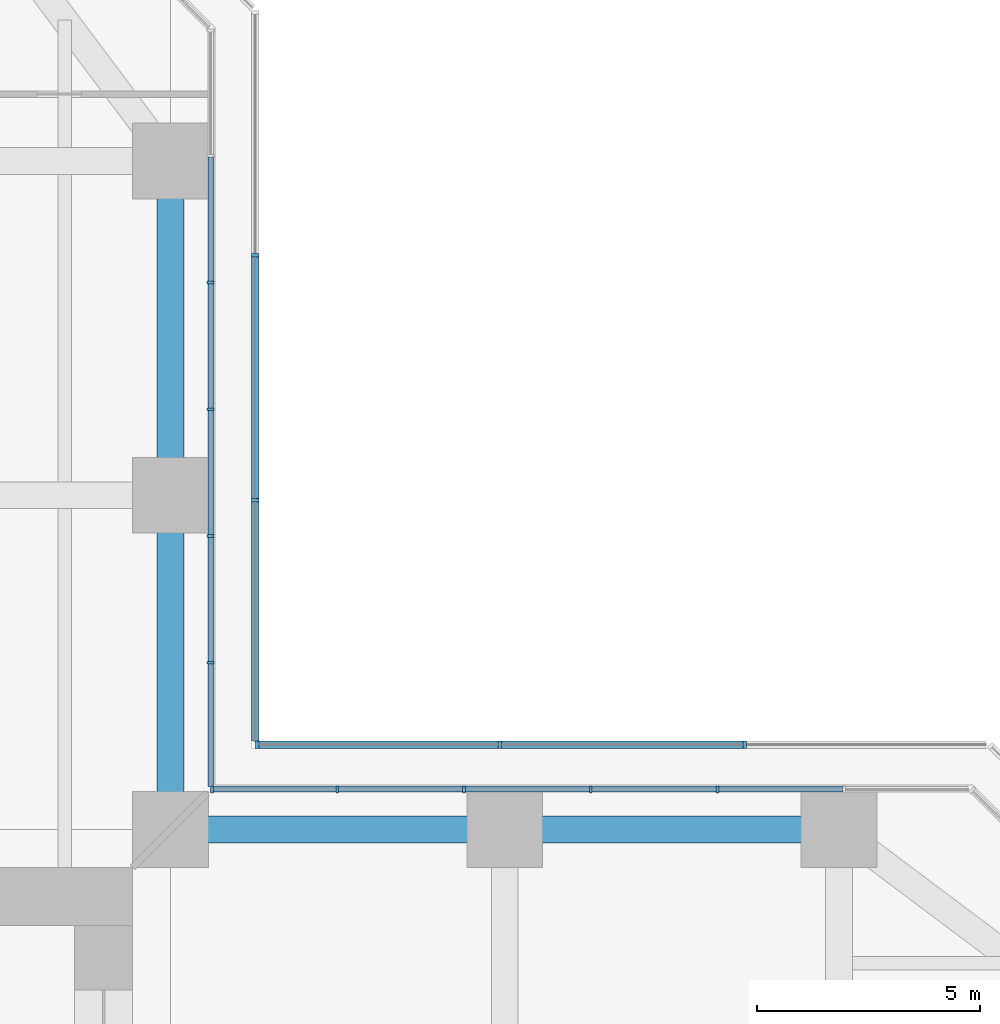
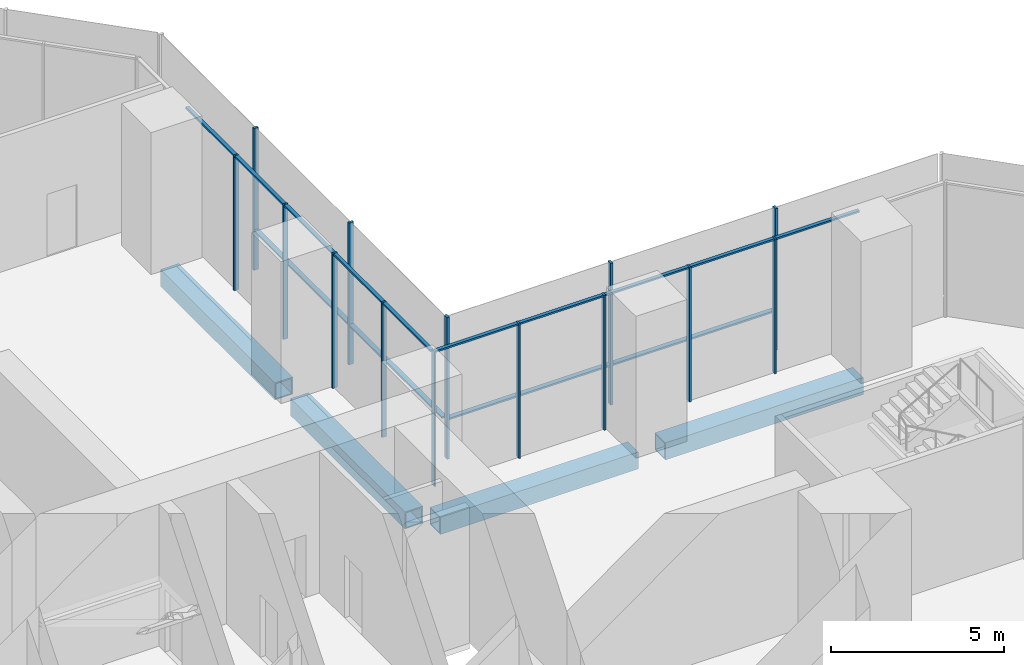
# One storey, part 10 of 23: 28 members, 4 beams, 4 elements without a shape of their own.
"""IFC4 building model written with IfcOpenShell, lengths in metres."""

from ifc_helpers import new_model, si_unit, direction, frame, origin, origin_2d, place, context, subcontext, project, spatial, rectangle, hollow_rectangle, extrude, material, material_profile, profile_set, type_object, element, aggregate, save


model = new_model("IFC4")

# Units and contexts
model_context = context("Model", 3, precision=1e-05, world=origin(), true_north=direction((0.0, 1.0)))
body_context = subcontext(model_context, "Body", "Model", "MODEL_VIEW")
ifc_project = project(units=[si_unit("LENGTHUNIT", "METRE"), si_unit("AREAUNIT", "SQUARE_METRE"), si_unit("VOLUMEUNIT", "CUBIC_METRE"), si_unit("PLANEANGLEUNIT", "RADIAN"), si_unit("MASSUNIT", "GRAM", prefix="KILO")], contexts=[model_context])

# Site, building, storey
site_placement = place(None, origin())
site = spatial("IfcSite", under=ifc_project, at=site_placement, CompositionType="ELEMENT")
building_placement = place(site_placement, origin())
building = spatial("IfcBuilding", under=site, at=building_placement, Name="Mizan Broadcast Tower", CompositionType="ELEMENT")
storey_placement = place(building_placement, frame((0.0, 0.0, 28.0)))
storey = spatial("IfcBuildingStorey", under=building, at=storey_placement, Name="L04", CompositionType="ELEMENT", Elevation=28.0)

# Beams
ifc_material_1 = material(Name="Steel S355", Category="steel")
ifc_material_profile_1 = material_profile(ifc_material_1, hollow_rectangle(XDim=0.60009765625, YDim=0.60009765625, WallThickness=0.0400390625, at=origin_2d()), Name="BOX 600x600x40")
ifc_profile_set_1 = profile_set([ifc_material_profile_1], Name="Steel S355")
beam_type = type_object("IfcBeamType", Name="EDGE BEAM BOX 600x600x40", PredefinedType="SPANDREL", material=ifc_profile_set_1)
for number, where, z_axis, x_axis, name in (
    (1, (12.449951171875, 12.0, -0.550048828125), (1.0, 0.0, 0.0), (0.0, 1.0, 0.0), "Edge beam BOX 600x600x40 L04 east arm"),
    (2, (19.949951171875, 12.0, -0.550048828125), (1.0, 0.0, 0.0), (0.0, 1.0, 0.0), "Edge beam BOX 600x600x40 L04 east arm"),
    (3, (12.0, 12.449951171875, -0.550048828125), (0.0, 1.0, 0.0), (-1.0, 0.0, 0.0), "Edge beam BOX 600x600x40 L04 north arm"),
    (4, (12.0, 19.949951171875, -0.550048828125), (0.0, 1.0, 0.0), (-1.0, 0.0, 0.0), "Edge beam BOX 600x600x40 L04 north arm"),
):
    element("IfcBeam", number, at=place(storey_placement, frame(where, z_axis=z_axis, x_axis=x_axis)), inside=storey, type_object=beam_type, Name=name, PredefinedType="SPANDREL", context=body_context, shape_type="SweptSolid", body=[
        extrude(hollow_rectangle(XDim=0.60009765625, YDim=0.60009765625, WallThickness=0.0400390625, at=origin_2d()), origin(), (0.0, 0.0, 1.0), 6.60009765625),
    ])

# Curtain wall, members
ifc_material_2 = material(Name="Aluminium framed glazing", Category="aluminium")
curtain_wall_type_1 = type_object("IfcCurtainWallType", Name="PODIUM CURTAIN WALL", PredefinedType="USERDEFINED", material=ifc_material_2)
curtain_wall_1_placement = place(storey_placement, origin())
curtain_wall_1 = element("IfcCurtainWall", 5, at=curtain_wall_1_placement, inside=storey, type_object=curtain_wall_type_1, Name="Podium curtain wall L04 E side", ObjectType="PODIUM CURTAIN WALL", PredefinedType="USERDEFINED")
ifc_material_3 = material(Name="Aluminium, pale anodised", Category="aluminium")
ifc_material_profile_2 = material_profile(ifc_material_3, rectangle(XDim=0.159912109375, YDim=0.06005859375, at=origin_2d()), Name="MULLION 160x60")
ifc_profile_set_2 = profile_set([ifc_material_profile_2], Name="Aluminium, pale anodised")
member_type_1 = type_object("IfcMemberType", Name="INNER SKIN MULLION 60x160", PredefinedType="MULLION", material=ifc_profile_set_2)
member_1_placement = place(storey_placement, frame((24.2724609375, 12.89990234375, 0.0), z_axis=(0.0, 0.0, 1.0), x_axis=(0.0, -1.0, 0.0)))
member_1 = element("IfcMember", 6, at=member_1_placement, type_object=member_type_1, Name="Podium curtain wall L04 E side mullion 3", PredefinedType="MULLION", context=body_context, shape_type="SweptSolid", body=[
    extrude(rectangle(XDim=0.159912109375, YDim=0.06005859375, at=origin_2d()), origin(), (0.0, 0.0, 1.0), 4.75),
])
member_2_placement = place(storey_placement, frame((21.42919921875, 12.89990234375, 0.0), z_axis=(0.0, 0.0, 1.0), x_axis=(0.0, -1.0, 0.0)))
member_2 = element("IfcMember", 7, at=member_2_placement, type_object=member_type_1, Name="Podium curtain wall L04 E side mullion 4", PredefinedType="MULLION", context=body_context, shape_type="SweptSolid", body=[
    extrude(rectangle(XDim=0.159912109375, YDim=0.06005859375, at=origin_2d()), origin(), (0.0, 0.0, 1.0), 4.75),
])
member_3_placement = place(storey_placement, frame((18.586181640625, 12.89990234375, 0.0), z_axis=(0.0, 0.0, 1.0), x_axis=(0.0, -1.0, 0.0)))
member_3 = element("IfcMember", 8, at=member_3_placement, type_object=member_type_1, Name="Podium curtain wall L04 E side mullion 5", PredefinedType="MULLION", context=body_context, shape_type="SweptSolid", body=[
    extrude(rectangle(XDim=0.159912109375, YDim=0.06005859375, at=origin_2d()), origin(), (0.0, 0.0, 1.0), 4.75),
])
member_4_placement = place(storey_placement, frame((15.7431640625, 12.89990234375, 0.0), z_axis=(0.0, 0.0, 1.0), x_axis=(0.0, -1.0, 0.0)))
member_4 = element("IfcMember", 9, at=member_4_placement, type_object=member_type_1, Name="Podium curtain wall L04 E side mullion 6", PredefinedType="MULLION", context=body_context, shape_type="SweptSolid", body=[
    extrude(rectangle(XDim=0.159912109375, YDim=0.06005859375, at=origin_2d()), origin(), (0.0, 0.0, 1.0), 4.75),
])
member_5_placement = place(storey_placement, frame((12.929931640625, 12.89990234375, 0.0), z_axis=(0.0, 0.0, 1.0), x_axis=(0.0, -1.0, 0.0)))
member_5 = element("IfcMember", 10, at=member_5_placement, type_object=member_type_1, Name="Podium curtain wall L04 E side mullion 7", PredefinedType="MULLION", context=body_context, shape_type="SweptSolid", body=[
    extrude(rectangle(XDim=0.159912109375, YDim=0.06005859375, at=origin_2d()), origin(), (0.0, 0.0, 1.0), 4.75),
])

curtain_wall_2_placement = place(storey_placement, origin())
curtain_wall_2 = element("IfcCurtainWall", 11, at=curtain_wall_2_placement, inside=storey, type_object=curtain_wall_type_1, Name="Podium curtain wall L04 N side", ObjectType="PODIUM CURTAIN WALL", PredefinedType="USERDEFINED")
member_6_placement = place(storey_placement, frame((12.89990234375, 15.7431640625, 0.0), z_axis=(0.0, 0.0, 1.0), x_axis=(-1.0, 0.0, 0.0)))
member_6 = element("IfcMember", 12, at=member_6_placement, type_object=member_type_1, Name="Podium curtain wall L04 N side mullion 2", PredefinedType="MULLION", context=body_context, shape_type="SweptSolid", body=[
    extrude(rectangle(XDim=0.159912109375, YDim=0.06005859375, at=origin_2d()), origin(), (0.0, 0.0, 1.0), 4.75),
])
member_7_placement = place(storey_placement, frame((12.89990234375, 18.586181640625, 0.0), z_axis=(0.0, 0.0, 1.0), x_axis=(-1.0, 0.0, 0.0)))
member_7 = element("IfcMember", 13, at=member_7_placement, type_object=member_type_1, Name="Podium curtain wall L04 N side mullion 3", PredefinedType="MULLION", context=body_context, shape_type="SweptSolid", body=[
    extrude(rectangle(XDim=0.159912109375, YDim=0.06005859375, at=origin_2d()), origin(), (0.0, 0.0, 1.0), 4.75),
])
member_8_placement = place(storey_placement, frame((12.89990234375, 21.42919921875, 0.0), z_axis=(0.0, 0.0, 1.0), x_axis=(-1.0, 0.0, 0.0)))
member_8 = element("IfcMember", 14, at=member_8_placement, type_object=member_type_1, Name="Podium curtain wall L04 N side mullion 4", PredefinedType="MULLION", context=body_context, shape_type="SweptSolid", body=[
    extrude(rectangle(XDim=0.159912109375, YDim=0.06005859375, at=origin_2d()), origin(), (0.0, 0.0, 1.0), 4.75),
])
member_9_placement = place(storey_placement, frame((12.89990234375, 24.2724609375, 0.0), z_axis=(0.0, 0.0, 1.0), x_axis=(-1.0, 0.0, 0.0)))
member_9 = element("IfcMember", 15, at=member_9_placement, type_object=member_type_1, Name="Podium curtain wall L04 N side mullion 5", PredefinedType="MULLION", context=body_context, shape_type="SweptSolid", body=[
    extrude(rectangle(XDim=0.159912109375, YDim=0.06005859375, at=origin_2d()), origin(), (0.0, 0.0, 1.0), 4.75),
])

# Member
ifc_material_4 = material(Name="Aluminium, pale anodised", Category="aluminium")
ifc_material_profile_3 = material_profile(ifc_material_4, rectangle(XDim=0.1201171875, YDim=0.06005859375, at=origin_2d()), Name="TRANSOM 120x60")
ifc_profile_set_3 = profile_set([ifc_material_profile_3], Name="Aluminium, pale anodised")
member_type_2 = type_object("IfcMemberType", Name="INNER SKIN TRANSOM 60x120", PredefinedType="USERDEFINED", material=ifc_profile_set_3)
member_10_placement = place(storey_placement, frame((27.08544921875, 12.89990234375, 4.719970703125), z_axis=(-1.0, 0.0, 0.0), x_axis=(0.0, -1.0, 0.0)))
member_10 = element("IfcMember", 16, at=member_10_placement, type_object=member_type_2, Name="Podium curtain wall L04 E side transom 2.1", ObjectType="TRANSOM", PredefinedType="USERDEFINED", context=body_context, shape_type="SweptSolid", body=[
    extrude(rectangle(XDim=0.1201171875, YDim=0.06005859375, at=origin_2d()), origin(), (0.0, 0.0, 1.0), 2.782958984375),
])

member_11_placement = place(storey_placement, frame((24.242431640625, 12.89990234375, 4.719970703125), z_axis=(-1.0, 0.0, 0.0), x_axis=(0.0, -1.0, 0.0)))
member_11 = element("IfcMember", 17, at=member_11_placement, type_object=member_type_2, Name="Podium curtain wall L04 E side transom 3.1", ObjectType="TRANSOM", PredefinedType="USERDEFINED", context=body_context, shape_type="SweptSolid", body=[
    extrude(rectangle(XDim=0.1201171875, YDim=0.06005859375, at=origin_2d()), origin(), (0.0, 0.0, 1.0), 2.783203125),
])

member_12_placement = place(storey_placement, frame((21.399169921875, 12.89990234375, 4.719970703125), z_axis=(-1.0, 0.0, 0.0), x_axis=(0.0, -1.0, 0.0)))
member_12 = element("IfcMember", 18, at=member_12_placement, type_object=member_type_2, Name="Podium curtain wall L04 E side transom 4.1", ObjectType="TRANSOM", PredefinedType="USERDEFINED", context=body_context, shape_type="SweptSolid", body=[
    extrude(rectangle(XDim=0.1201171875, YDim=0.06005859375, at=origin_2d()), origin(), (0.0, 0.0, 1.0), 2.782958984375),
])

member_13_placement = place(storey_placement, frame((18.55615234375, 12.89990234375, 4.719970703125), z_axis=(-1.0, 0.0, 0.0), x_axis=(0.0, -1.0, 0.0)))
member_13 = element("IfcMember", 19, at=member_13_placement, type_object=member_type_2, Name="Podium curtain wall L04 E side transom 5.1", ObjectType="TRANSOM", PredefinedType="USERDEFINED", context=body_context, shape_type="SweptSolid", body=[
    extrude(rectangle(XDim=0.1201171875, YDim=0.06005859375, at=origin_2d()), origin(), (0.0, 0.0, 1.0), 2.782958984375),
])

member_14_placement = place(storey_placement, frame((15.713134765625, 12.89990234375, 4.719970703125), z_axis=(-1.0, 0.0, 0.0), x_axis=(0.0, -1.0, 0.0)))
member_14 = element("IfcMember", 20, at=member_14_placement, type_object=member_type_2, Name="Podium curtain wall L04 E side transom 6.1", ObjectType="TRANSOM", PredefinedType="USERDEFINED", context=body_context, shape_type="SweptSolid", body=[
    extrude(rectangle(XDim=0.1201171875, YDim=0.06005859375, at=origin_2d()), origin(), (0.0, 0.0, 1.0), 2.753173828125),
])

aggregate(curtain_wall_1, [member_1, member_2, member_3, member_4, member_5, member_10, member_11, member_12, member_13, member_14])

member_15_placement = place(storey_placement, frame((12.89990234375, 12.9599609375, 4.719970703125), z_axis=(0.0, 1.0, 0.0), x_axis=(-1.0, 0.0, 0.0)))
member_15 = element("IfcMember", 21, at=member_15_placement, type_object=member_type_2, Name="Podium curtain wall L04 N side transom 1.1", ObjectType="TRANSOM", PredefinedType="USERDEFINED", context=body_context, shape_type="SweptSolid", body=[
    extrude(rectangle(XDim=0.1201171875, YDim=0.06005859375, at=origin_2d()), origin(), (0.0, 0.0, 1.0), 2.753173828125),
])

member_16_placement = place(storey_placement, frame((12.89990234375, 15.773193359375, 4.719970703125), z_axis=(0.0, 1.0, 0.0), x_axis=(-1.0, 0.0, 0.0)))
member_16 = element("IfcMember", 22, at=member_16_placement, type_object=member_type_2, Name="Podium curtain wall L04 N side transom 2.1", ObjectType="TRANSOM", PredefinedType="USERDEFINED", context=body_context, shape_type="SweptSolid", body=[
    extrude(rectangle(XDim=0.1201171875, YDim=0.06005859375, at=origin_2d()), origin(), (0.0, 0.0, 1.0), 2.782958984375),
])

member_17_placement = place(storey_placement, frame((12.89990234375, 18.6162109375, 4.719970703125), z_axis=(0.0, 1.0, 0.0), x_axis=(-1.0, 0.0, 0.0)))
member_17 = element("IfcMember", 23, at=member_17_placement, type_object=member_type_2, Name="Podium curtain wall L04 N side transom 3.1", ObjectType="TRANSOM", PredefinedType="USERDEFINED", context=body_context, shape_type="SweptSolid", body=[
    extrude(rectangle(XDim=0.1201171875, YDim=0.06005859375, at=origin_2d()), origin(), (0.0, 0.0, 1.0), 2.782958984375),
])

member_18_placement = place(storey_placement, frame((12.89990234375, 21.459228515625, 4.719970703125), z_axis=(0.0, 1.0, 0.0), x_axis=(-1.0, 0.0, 0.0)))
member_18 = element("IfcMember", 24, at=member_18_placement, type_object=member_type_2, Name="Podium curtain wall L04 N side transom 4.1", ObjectType="TRANSOM", PredefinedType="USERDEFINED", context=body_context, shape_type="SweptSolid", body=[
    extrude(rectangle(XDim=0.1201171875, YDim=0.06005859375, at=origin_2d()), origin(), (0.0, 0.0, 1.0), 2.783203125),
])

member_19_placement = place(storey_placement, frame((12.89990234375, 24.302490234375, 4.719970703125), z_axis=(0.0, 1.0, 0.0), x_axis=(-1.0, 0.0, 0.0)))
member_19 = element("IfcMember", 25, at=member_19_placement, type_object=member_type_2, Name="Podium curtain wall L04 N side transom 5.1", ObjectType="TRANSOM", PredefinedType="USERDEFINED", context=body_context, shape_type="SweptSolid", body=[
    extrude(rectangle(XDim=0.1201171875, YDim=0.06005859375, at=origin_2d()), origin(), (0.0, 0.0, 1.0), 2.782958984375),
])

aggregate(curtain_wall_2, [member_6, member_7, member_8, member_9, member_15, member_16, member_17, member_18, member_19])

# Curtain wall, members
ifc_material_5 = material(Name="Aluminium framed glazing", Category="aluminium")
curtain_wall_type_2 = type_object("IfcCurtainWallType", Name="OUTER SKIN", PredefinedType="USERDEFINED", material=ifc_material_5)
curtain_wall_3_placement = place(storey_placement, origin())
curtain_wall_3 = element("IfcCurtainWall", 26, at=curtain_wall_3_placement, inside=storey, type_object=curtain_wall_type_2, Name="Outer skin L04 E side", ObjectType="OUTER SKIN", PredefinedType="USERDEFINED")
ifc_material_6 = material(Name="Aluminium, pale anodised", Category="aluminium")
ifc_material_profile_4 = material_profile(ifc_material_6, rectangle(XDim=0.159912109375, YDim=0.080078125, at=origin_2d()), Name="MULLION 160x80")
ifc_profile_set_4 = profile_set([ifc_material_profile_4], Name="Aluminium, pale anodised")
member_type_3 = type_object("IfcMemberType", Name="OUTER SKIN MULLION 80x160", PredefinedType="MULLION", material=ifc_profile_set_4)
member_20_placement = place(storey_placement, frame((24.8818359375, 13.89990234375, 0.0), z_axis=(0.0, 0.0, 1.0), x_axis=(0.0, -1.0, 0.0)))
member_20 = element("IfcMember", 27, at=member_20_placement, type_object=member_type_3, Name="Outer skin L04 E side mullion 2", PredefinedType="MULLION", context=body_context, shape_type="SweptSolid", body=[
    extrude(rectangle(XDim=0.159912109375, YDim=0.080078125, at=origin_2d()), origin(), (0.0, 0.0, 1.0), 5.0),
])
member_21_placement = place(storey_placement, frame((19.390869140625, 13.89990234375, 0.0), z_axis=(0.0, 0.0, 1.0), x_axis=(0.0, -1.0, 0.0)))
member_21 = element("IfcMember", 28, at=member_21_placement, type_object=member_type_3, Name="Outer skin L04 E side mullion 3", PredefinedType="MULLION", context=body_context, shape_type="SweptSolid", body=[
    extrude(rectangle(XDim=0.159912109375, YDim=0.080078125, at=origin_2d()), origin(), (0.0, 0.0, 1.0), 5.0),
])
member_22_placement = place(storey_placement, frame((13.93994140625, 13.89990234375, 0.0), z_axis=(0.0, 0.0, 1.0), x_axis=(0.0, -1.0, 0.0)))
member_22 = element("IfcMember", 29, at=member_22_placement, type_object=member_type_3, Name="Outer skin L04 E side mullion 4", PredefinedType="MULLION", context=body_context, shape_type="SweptSolid", body=[
    extrude(rectangle(XDim=0.159912109375, YDim=0.080078125, at=origin_2d()), origin(), (0.0, 0.0, 1.0), 5.0),
])

curtain_wall_4_placement = place(storey_placement, origin())
curtain_wall_4 = element("IfcCurtainWall", 30, at=curtain_wall_4_placement, inside=storey, type_object=curtain_wall_type_2, Name="Outer skin L04 N side", ObjectType="OUTER SKIN", PredefinedType="USERDEFINED")
member_23_placement = place(storey_placement, frame((13.89990234375, 19.390869140625, 0.0), z_axis=(0.0, 0.0, 1.0), x_axis=(-1.0, 0.0, 0.0)))
member_23 = element("IfcMember", 31, at=member_23_placement, type_object=member_type_3, Name="Outer skin L04 N side mullion 2", PredefinedType="MULLION", context=body_context, shape_type="SweptSolid", body=[
    extrude(rectangle(XDim=0.159912109375, YDim=0.080078125, at=origin_2d()), origin(), (0.0, 0.0, 1.0), 5.0),
])
member_24_placement = place(storey_placement, frame((13.89990234375, 24.8818359375, 0.0), z_axis=(0.0, 0.0, 1.0), x_axis=(-1.0, 0.0, 0.0)))
member_24 = element("IfcMember", 32, at=member_24_placement, type_object=member_type_3, Name="Outer skin L04 N side mullion 3", PredefinedType="MULLION", context=body_context, shape_type="SweptSolid", body=[
    extrude(rectangle(XDim=0.159912109375, YDim=0.080078125, at=origin_2d()), origin(), (0.0, 0.0, 1.0), 5.0),
])

# Member
ifc_material_7 = material(Name="Aluminium, pale anodised", Category="aluminium")
ifc_material_profile_5 = material_profile(ifc_material_7, rectangle(XDim=0.159912109375, YDim=0.06005859375, at=origin_2d()), Name="TRANSOM 160x60")
ifc_profile_set_5 = profile_set([ifc_material_profile_5], Name="Aluminium, pale anodised")
member_type_4 = type_object("IfcMemberType", Name="OUTER SKIN TRANSOM 60x160", PredefinedType="USERDEFINED", material=ifc_profile_set_5)
member_25_placement = place(storey_placement, frame((24.841796875, 13.89990234375, 1.39990234375), z_axis=(-1.0, 0.0, 0.0), x_axis=(0.0, -1.0, 0.0)))
member_25 = element("IfcMember", 33, at=member_25_placement, type_object=member_type_4, Name="Outer skin L04 E side transom 2.1", ObjectType="TRANSOM", PredefinedType="USERDEFINED", context=body_context, shape_type="SweptSolid", body=[
    extrude(rectangle(XDim=0.159912109375, YDim=0.06005859375, at=origin_2d()), origin(), (0.0, 0.0, 1.0), 5.410888671875),
])

member_26_placement = place(storey_placement, frame((19.350830078125, 13.89990234375, 1.39990234375), z_axis=(-1.0, 0.0, 0.0), x_axis=(0.0, -1.0, 0.0)))
member_26 = element("IfcMember", 34, at=member_26_placement, type_object=member_type_4, Name="Outer skin L04 E side transom 3.1", ObjectType="TRANSOM", PredefinedType="USERDEFINED", context=body_context, shape_type="SweptSolid", body=[
    extrude(rectangle(XDim=0.159912109375, YDim=0.06005859375, at=origin_2d()), origin(), (0.0, 0.0, 1.0), 5.370849609375),
])

aggregate(curtain_wall_3, [member_20, member_21, member_22, member_25, member_26])

member_27_placement = place(storey_placement, frame((13.89990234375, 13.97998046875, 1.39990234375), z_axis=(0.0, 1.0, 0.0), x_axis=(-1.0, 0.0, 0.0)))
member_27 = element("IfcMember", 35, at=member_27_placement, type_object=member_type_4, Name="Outer skin L04 N side transom 1.1", ObjectType="TRANSOM", PredefinedType="USERDEFINED", context=body_context, shape_type="SweptSolid", body=[
    extrude(rectangle(XDim=0.159912109375, YDim=0.06005859375, at=origin_2d()), origin(), (0.0, 0.0, 1.0), 5.370849609375),
])

member_28_placement = place(storey_placement, frame((13.89990234375, 19.430908203125, 1.39990234375), z_axis=(0.0, 1.0, 0.0), x_axis=(-1.0, 0.0, 0.0)))
member_28 = element("IfcMember", 36, at=member_28_placement, type_object=member_type_4, Name="Outer skin L04 N side transom 2.1", ObjectType="TRANSOM", PredefinedType="USERDEFINED", context=body_context, shape_type="SweptSolid", body=[
    extrude(rectangle(XDim=0.159912109375, YDim=0.06005859375, at=origin_2d()), origin(), (0.0, 0.0, 1.0), 5.410888671875),
])

aggregate(curtain_wall_4, [member_23, member_24, member_27, member_28])

save(model, "model.ifc")
